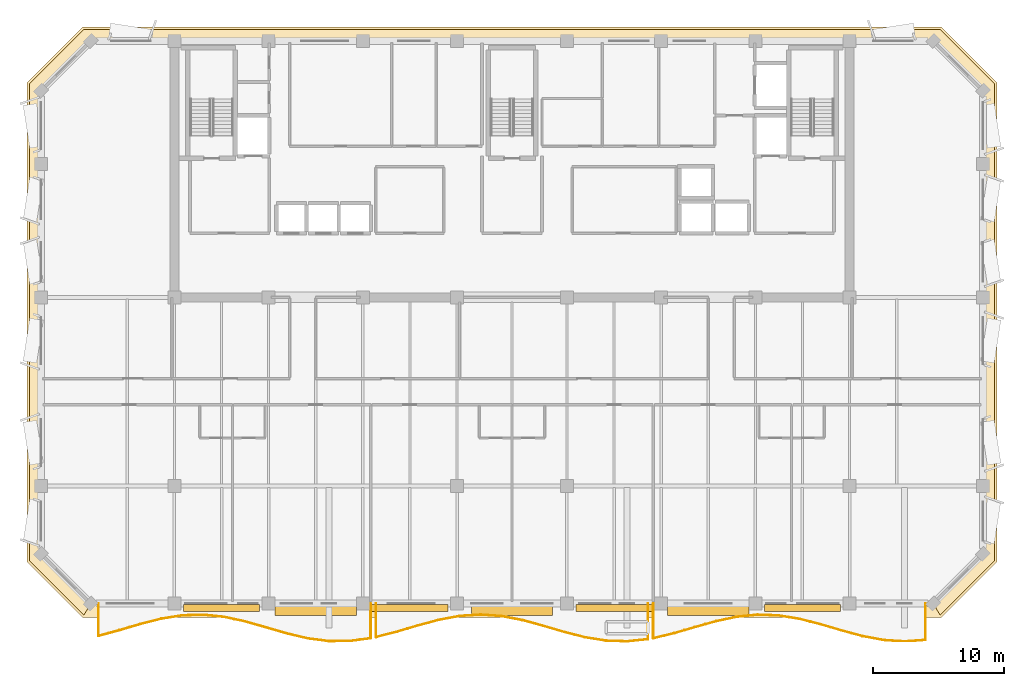
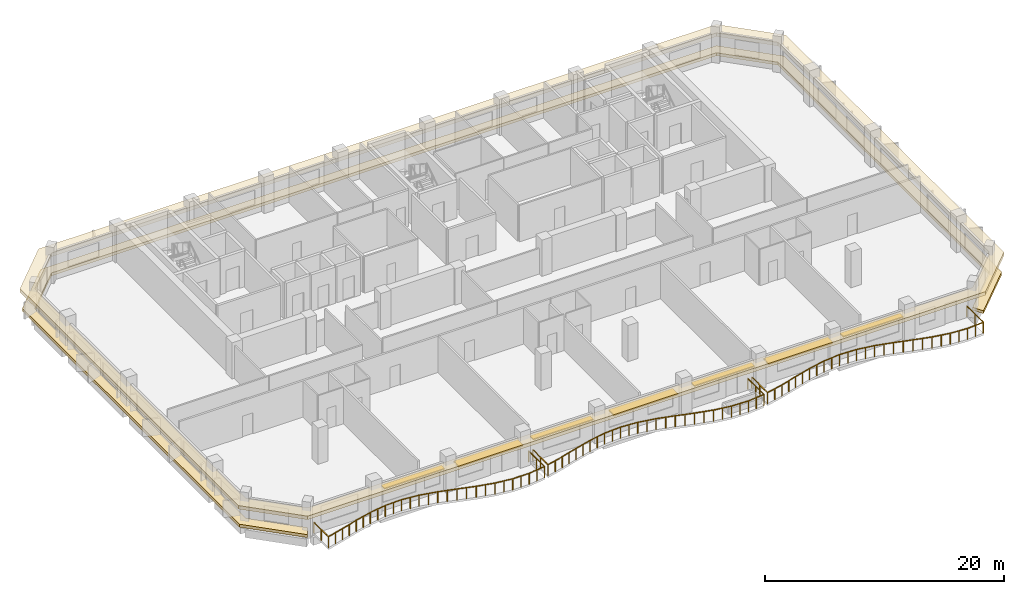
# One storey, part 9 of 11: 7 shading devices, 3 railings, 2 coverings.
"""IFC4 building model written with IfcOpenShell, lengths in metres."""

from ifc_helpers import new_model, si_unit, direction, frame, origin, origin_2d, place, context, subcontext, project, spatial, polyline, rectangle, outline, extrude, material, layer, layer_set, type_object, element, save


model = new_model("IFC4")

# Units and contexts
model_context = context("Model", 3, precision=1e-05, world=origin(), true_north=direction((0.0, 1.0)))
body_context = subcontext(model_context, "Body", "Model", "MODEL_VIEW")
ifc_project = project(units=[si_unit("LENGTHUNIT", "METRE"), si_unit("AREAUNIT", "SQUARE_METRE"), si_unit("VOLUMEUNIT", "CUBIC_METRE"), si_unit("PLANEANGLEUNIT", "RADIAN"), si_unit("MASSUNIT", "GRAM", prefix="KILO")], contexts=[model_context])

# Site, building, storey
site_placement = place(None, origin())
site = spatial("IfcSite", under=ifc_project, at=site_placement, CompositionType="ELEMENT")
building_placement = place(site_placement, origin())
building = spatial("IfcBuilding", under=site, at=building_placement, Name="Kaelvorn Grand Hotel", CompositionType="ELEMENT")
storey_placement = place(building_placement, frame((0.0, 0.0, 256.800048828125)))
storey = spatial("IfcBuildingStorey", under=building, at=storey_placement, Name="L63", CompositionType="ELEMENT", Elevation=256.800048828125)

# Coverings
ifc_material_1 = material(Name="Precast concrete C45/55", Category="concrete")
ifc_layer_1 = layer(ifc_material_1, 0.260009765625)
ifc_layer_set_1 = layer_set([ifc_layer_1], Name="Precast concrete C45/55")
covering_type_1 = type_object("IfcCoveringType", Name="COV-BAND-STREAMLINE-HEAD", PredefinedType="CLADDING", material=ifc_layer_set_1)
covering_1_placement = place(storey_placement, frame((0.0, 0.0, 2.419921875)))
element("IfcCovering", 1, at=covering_1_placement, inside=storey, type_object=covering_type_1, Name="L63 Streamline Moderne Wraparound Horizontal Eyebrow Band", PredefinedType="CLADDING", context=body_context, shape_type="SweptSolid", body=[
    extrude(outline(polyline([(9.18994140625, 4.949951171875), (74.81005859375, 4.949951171875), (79.050048828125, 9.18994140625), (79.050048828125, 45.81005859375), (74.81005859375, 50.050048828125), (9.18994140625, 50.050048828125), (4.949951171875, 45.81005859375), (4.949951171875, 9.18994140625), (9.18994140625, 4.949951171875)]), holes=[polyline([(9.820068359375, 6.030029296875), (74.179931640625, 6.030029296875), (77.969970703125, 9.820068359375), (77.969970703125, 45.179931640625), (74.179931640625, 48.969970703125), (9.820068359375, 48.969970703125), (6.030029296875, 45.179931640625), (6.030029296875, 9.820068359375), (9.820068359375, 6.030029296875)])]), origin(), (0.0, 0.0, 1.0), 0.360107421875),
])
ifc_layer_2 = layer(ifc_material_1, 0.219970703125)
ifc_layer_set_2 = layer_set([ifc_layer_2], Name="Precast concrete C45/55")
covering_type_2 = type_object("IfcCoveringType", Name="COV-BAND-STREAMLINE-SILL", PredefinedType="CLADDING", material=ifc_layer_set_2)
covering_2_placement = place(storey_placement, frame((0.0, 0.0, 0.449951171875)))
element("IfcCovering", 2, at=covering_2_placement, inside=storey, type_object=covering_type_2, Name="L63 Streamline Moderne Wraparound Horizontal Sill Spandrel Band", PredefinedType="CLADDING", context=body_context, shape_type="SweptSolid", body=[
    extrude(outline(polyline([(74.715576171875, 5.1201171875), (78.8798828125, 9.284423828125), (78.8798828125, 45.715576171875), (74.715576171875, 49.8798828125), (9.284423828125, 49.8798828125), (5.1201171875, 45.715576171875), (5.1201171875, 9.284423828125), (9.284423828125, 5.1201171875), (9.817626953125, 6.030029296875), (6.030029296875, 9.817626953125), (6.030029296875, 45.182373046875), (9.817626953125, 48.969970703125), (74.182373046875, 48.969970703125), (77.969970703125, 45.182373046875), (77.969970703125, 9.817626953125), (74.182373046875, 6.030029296875), (74.715576171875, 5.1201171875)])), origin(), (0.0, 0.0, 1.0), 0.300048828125),
])

# Railings
ifc_material_2 = material(Name="Stainless Steel", Category="steel")
railing_type = type_object("IfcRailingType", Name="RL-BALC-1150", PredefinedType="BALUSTRADE", material=ifc_material_2)
railing_1_placement = place(storey_placement, frame((10.39990234375, 6.0, 0.0)))
element("IfcRailing", 3, at=railing_1_placement, inside=storey, type_object=railing_type, Name="L63 Scalloped Wave Balcony Balustrade GR1-1", PredefinedType="BALUSTRADE", context=body_context, shape_type="SweptSolid", body=[
    extrude(rectangle(XDim=0.048095703125, YDim=0.048095703125, at=origin_2d()), frame((0.0, 0.0, 1.1259765625), z_axis=(0.0, -1.0, 0.0), x_axis=(1.0, 0.0, 0.0)), (0.0, 0.0, 1.0), 2.4775390625),
    extrude(rectangle(XDim=0.048095703125, YDim=0.048095703125, at=origin_2d()), frame((0.0, -2.4775390625, 1.1259765625), z_axis=(0.964780804406, 0.263055126255, 0.0), x_axis=(-0.263055126255, 0.964780804406, 0.0)), (0.0, 0.0, 1.0), 1.658447265625),
    extrude(rectangle(XDim=0.048095703125, YDim=0.048095703125, at=origin_2d()), frame((1.60009765625, -2.041259765625, 1.1259765625), z_axis=(0.959192869064, 0.282752612608, 0.0), x_axis=(-0.282752612608, 0.959192869064, 0.0)), (0.0, 0.0, 1.0), 1.668212890625),
    extrude(rectangle(XDim=0.048095703125, YDim=0.048095703125, at=origin_2d()), frame((3.2001953125, -1.569580078125, 1.1259765625), z_axis=(0.969204438811, 0.24625749895, 0.0), x_axis=(-0.24625749895, 0.969204438811, 0.0)), (0.0, 0.0, 1.0), 1.650634765625),
    extrude(rectangle(XDim=0.048095703125, YDim=0.048095703125, at=origin_2d()), frame((4.800048828125, -1.1630859375, 1.1259765625), z_axis=(0.987502610882, 0.157602644337, 0.0), x_axis=(-0.157602644337, 0.987502610882, 0.0)), (0.0, 0.0, 1.0), 1.620361328125),
    extrude(rectangle(XDim=0.048095703125, YDim=0.048095703125, at=origin_2d()), frame((6.400146484375, -0.90771484375, 1.1259765625), z_axis=(0.999525230254, 0.030810941021, 0.0), x_axis=(-0.030810941021, 0.999525230254, 0.0)), (0.0, 0.0, 1.0), 1.6005859375),
    extrude(rectangle(XDim=0.048095703125, YDim=0.048095703125, at=origin_2d()), frame((8.0, -0.8583984375, 1.1259765625), z_axis=(0.994613846753, -0.103649871427, 0.0), x_axis=(0.103649871427, 0.994613846753, 0.0)), (0.0, 0.0, 1.0), 1.608642578125),
    extrude(rectangle(XDim=0.048095703125, YDim=0.048095703125, at=origin_2d()), frame((9.60009765625, -1.025146484375, 1.1259765625), z_axis=(0.977200579572, -0.212318221744, 0.0), x_axis=(0.212318221744, 0.977200579572, 0.0)), (0.0, 0.0, 1.0), 1.637451171875),
    extrude(rectangle(XDim=0.048095703125, YDim=0.048095703125, at=origin_2d()), frame((11.2001953125, -1.372802734375, 1.1259765625), z_axis=(0.961921762904, -0.273324938582, 0.0), x_axis=(0.273324938582, 0.961921762904, 0.0)), (0.0, 0.0, 1.0), 1.6630859375),
    extrude(rectangle(XDim=0.048095703125, YDim=0.048095703125, at=origin_2d()), frame((12.800048828125, -1.827392578125, 1.1259765625), z_axis=(0.960337367156, -0.278840709444, 0.0), x_axis=(0.278840709444, 0.960337367156, 0.0)), (0.0, 0.0, 1.0), 1.666259765625),
    extrude(rectangle(XDim=0.048095703125, YDim=0.048095703125, at=origin_2d()), frame((14.400146484375, -2.2919921875, 1.1259765625), z_axis=(0.973512551729, -0.228633575021, 0.0), x_axis=(0.228633575021, 0.973512551729, 0.0)), (0.0, 0.0, 1.0), 1.643310546875),
    extrude(rectangle(XDim=0.048095703125, YDim=0.048095703125, at=origin_2d()), frame((16.0, -2.667724609375, 1.1259765625), z_axis=(0.991713934243, -0.12846584226, 0.0), x_axis=(0.12846584226, 0.991713934243, 0.0)), (0.0, 0.0, 1.0), 1.613525390625),
    extrude(rectangle(XDim=0.048095703125, YDim=0.048095703125, at=origin_2d()), frame((17.60009765625, -2.875, 1.1259765625), z_axis=(0.999994366234, 0.003356709804, 0.0), x_axis=(-0.003356709804, 0.999994366234, 0.0)), (0.0, 0.0, 1.0), 1.60009765625),
    extrude(rectangle(XDim=0.048095703125, YDim=0.048095703125, at=origin_2d()), frame((19.2001953125, -2.86962890625, 1.1259765625), z_axis=(0.990922872084, 0.134431624185, 0.0), x_axis=(-0.134431624185, 0.990922872084, 0.0)), (0.0, 0.0, 1.0), 1.614501953125),
    extrude(rectangle(XDim=0.048095703125, YDim=0.048095703125, at=origin_2d()), frame((20.800048828125, -2.652587890625, 1.1259765625), z_axis=(0.0, 1.0, 0.0), x_axis=(-1.0, 0.0, 0.0)), (0.0, 0.0, 1.0), 2.652587890625),
    extrude(rectangle(XDim=0.0419921875, YDim=0.0419921875, at=origin_2d()), origin(), (0.0, 0.0, 1.0), 1.101806640625),
    extrude(rectangle(XDim=0.0419921875, YDim=0.0419921875, at=origin_2d()), frame((0.0, -1.23876953125, 0.0)), (0.0, 0.0, 1.0), 1.101806640625),
    extrude(rectangle(XDim=0.0419921875, YDim=0.0419921875, at=origin_2d()), frame((0.0, -2.4775390625, 0.0)), (0.0, 0.0, 1.0), 1.101806640625),
    extrude(rectangle(XDim=0.0419921875, YDim=0.0419921875, at=origin_2d()), frame((0.800048828125, -2.25927734375, 0.0)), (0.0, 0.0, 1.0), 1.101806640625),
    extrude(rectangle(XDim=0.0419921875, YDim=0.0419921875, at=origin_2d()), frame((1.60009765625, -2.041259765625, 0.0)), (0.0, 0.0, 1.0), 1.101806640625),
    extrude(rectangle(XDim=0.0419921875, YDim=0.0419921875, at=origin_2d()), frame((2.400146484375, -1.805419921875, 0.0)), (0.0, 0.0, 1.0), 1.101806640625),
    extrude(rectangle(XDim=0.0419921875, YDim=0.0419921875, at=origin_2d()), frame((3.2001953125, -1.569580078125, 0.0)), (0.0, 0.0, 1.0), 1.101806640625),
    extrude(rectangle(XDim=0.0419921875, YDim=0.0419921875, at=origin_2d()), frame((4.0, -1.3662109375, 0.0)), (0.0, 0.0, 1.0), 1.101806640625),
    extrude(rectangle(XDim=0.0419921875, YDim=0.0419921875, at=origin_2d()), frame((4.800048828125, -1.1630859375, 0.0)), (0.0, 0.0, 1.0), 1.101806640625),
    extrude(rectangle(XDim=0.0419921875, YDim=0.0419921875, at=origin_2d()), frame((5.60009765625, -1.035400390625, 0.0)), (0.0, 0.0, 1.0), 1.101806640625),
    extrude(rectangle(XDim=0.0419921875, YDim=0.0419921875, at=origin_2d()), frame((6.400146484375, -0.90771484375, 0.0)), (0.0, 0.0, 1.0), 1.101806640625),
    extrude(rectangle(XDim=0.0419921875, YDim=0.0419921875, at=origin_2d()), frame((7.2001953125, -0.883056640625, 0.0)), (0.0, 0.0, 1.0), 1.101806640625),
    extrude(rectangle(XDim=0.0419921875, YDim=0.0419921875, at=origin_2d()), frame((8.0, -0.8583984375, 0.0)), (0.0, 0.0, 1.0), 1.101806640625),
    extrude(rectangle(XDim=0.0419921875, YDim=0.0419921875, at=origin_2d()), frame((8.800048828125, -0.94189453125, 0.0)), (0.0, 0.0, 1.0), 1.101806640625),
    extrude(rectangle(XDim=0.0419921875, YDim=0.0419921875, at=origin_2d()), frame((9.60009765625, -1.025146484375, 0.0)), (0.0, 0.0, 1.0), 1.101806640625),
    extrude(rectangle(XDim=0.0419921875, YDim=0.0419921875, at=origin_2d()), frame((10.400146484375, -1.198974609375, 0.0)), (0.0, 0.0, 1.0), 1.101806640625),
    extrude(rectangle(XDim=0.0419921875, YDim=0.0419921875, at=origin_2d()), frame((11.2001953125, -1.372802734375, 0.0)), (0.0, 0.0, 1.0), 1.101806640625),
    extrude(rectangle(XDim=0.0419921875, YDim=0.0419921875, at=origin_2d()), frame((12.0, -1.60009765625, 0.0)), (0.0, 0.0, 1.0), 1.101806640625),
    extrude(rectangle(XDim=0.0419921875, YDim=0.0419921875, at=origin_2d()), frame((12.800048828125, -1.827392578125, 0.0)), (0.0, 0.0, 1.0), 1.101806640625),
    extrude(rectangle(XDim=0.0419921875, YDim=0.0419921875, at=origin_2d()), frame((13.60009765625, -2.0595703125, 0.0)), (0.0, 0.0, 1.0), 1.101806640625),
    extrude(rectangle(XDim=0.0419921875, YDim=0.0419921875, at=origin_2d()), frame((14.400146484375, -2.2919921875, 0.0)), (0.0, 0.0, 1.0), 1.101806640625),
    extrude(rectangle(XDim=0.0419921875, YDim=0.0419921875, at=origin_2d()), frame((15.2001953125, -2.47998046875, 0.0)), (0.0, 0.0, 1.0), 1.101806640625),
    extrude(rectangle(XDim=0.0419921875, YDim=0.0419921875, at=origin_2d()), frame((16.0, -2.667724609375, 0.0)), (0.0, 0.0, 1.0), 1.101806640625),
    extrude(rectangle(XDim=0.0419921875, YDim=0.0419921875, at=origin_2d()), frame((16.800048828125, -2.771484375, 0.0)), (0.0, 0.0, 1.0), 1.101806640625),
    extrude(rectangle(XDim=0.0419921875, YDim=0.0419921875, at=origin_2d()), frame((17.60009765625, -2.875, 0.0)), (0.0, 0.0, 1.0), 1.101806640625),
    extrude(rectangle(XDim=0.0419921875, YDim=0.0419921875, at=origin_2d()), frame((18.400146484375, -2.872314453125, 0.0)), (0.0, 0.0, 1.0), 1.101806640625),
    extrude(rectangle(XDim=0.0419921875, YDim=0.0419921875, at=origin_2d()), frame((19.2001953125, -2.86962890625, 0.0)), (0.0, 0.0, 1.0), 1.101806640625),
    extrude(rectangle(XDim=0.0419921875, YDim=0.0419921875, at=origin_2d()), frame((20.0, -2.76123046875, 0.0)), (0.0, 0.0, 1.0), 1.101806640625),
    extrude(rectangle(XDim=0.0419921875, YDim=0.0419921875, at=origin_2d()), frame((20.800048828125, -2.652587890625, 0.0)), (0.0, 0.0, 1.0), 1.101806640625),
    extrude(rectangle(XDim=0.0419921875, YDim=0.0419921875, at=origin_2d()), frame((20.800048828125, -1.326171875, 0.0)), (0.0, 0.0, 1.0), 1.101806640625),
    extrude(rectangle(XDim=0.0419921875, YDim=0.0419921875, at=origin_2d()), frame((20.800048828125, 0.0, 0.0)), (0.0, 0.0, 1.0), 1.101806640625),
])
railing_2_placement = place(storey_placement, frame((31.60009765625, 6.0, 0.0)))
element("IfcRailing", 4, at=railing_2_placement, inside=storey, type_object=railing_type, Name="L63 Scalloped Wave Balcony Balustrade GR1-2", PredefinedType="BALUSTRADE", context=body_context, shape_type="SweptSolid", body=[
    extrude(rectangle(XDim=0.048095703125, YDim=0.048095703125, at=origin_2d()), frame((0.0, 0.0, 1.1259765625), z_axis=(0.0, -1.0, 0.0), x_axis=(1.0, 0.0, 0.0)), (0.0, 0.0, 1.0), 2.569580078125),
    extrude(rectangle(XDim=0.048095703125, YDim=0.048095703125, at=origin_2d()), frame((0.0, -2.569580078125, 1.1259765625), z_axis=(0.968387953871, 0.249448934249, 0.0), x_axis=(-0.249448934249, 0.968387953871, 0.0)), (0.0, 0.0, 1.0), 1.652099609375),
    extrude(rectangle(XDim=0.048095703125, YDim=0.048095703125, at=origin_2d()), frame((1.599853515625, -2.157470703125, 1.1259765625), z_axis=(0.959113452177, 0.283021882287, 0.0), x_axis=(-0.283021882287, 0.959113452177, 0.0)), (0.0, 0.0, 1.0), 1.668212890625),
    extrude(rectangle(XDim=0.048095703125, YDim=0.048095703125, at=origin_2d()), frame((3.199951171875, -1.685302734375, 1.1259765625), z_axis=(0.965440575101, 0.260623283588, 0.0), x_axis=(-0.260623283588, 0.965440575101, 0.0)), (0.0, 0.0, 1.0), 1.6572265625),
    extrude(rectangle(XDim=0.048095703125, YDim=0.048095703125, at=origin_2d()), frame((4.7998046875, -1.25341796875, 1.1259765625), z_axis=(0.982923083623, 0.184016878792, 0.0), x_axis=(-0.184016878792, 0.982923083623, 0.0)), (0.0, 0.0, 1.0), 1.6279296875),
    extrude(rectangle(XDim=0.048095703125, YDim=0.048095703125, at=origin_2d()), frame((6.39990234375, -0.953857421875, 1.1259765625), z_axis=(0.997904112488, 0.064709985933, 0.0), x_axis=(-0.064709985933, 0.997904112488, 0.0)), (0.0, 0.0, 1.0), 1.603515625),
    extrude(rectangle(XDim=0.048095703125, YDim=0.048095703125, at=origin_2d()), frame((8.0, -0.85009765625, 1.1259765625), z_axis=(0.997459472433, -0.071236232733, 0.0), x_axis=(0.071236232733, 0.997459472433, 0.0)), (0.0, 0.0, 1.0), 1.60400390625),
    extrude(rectangle(XDim=0.048095703125, YDim=0.048095703125, at=origin_2d()), frame((9.599853515625, -0.96435546875, 1.1259765625), z_axis=(0.981961535476, -0.189080783914, 0.0), x_axis=(0.189080783914, 0.981961535476, 0.0)), (0.0, 0.0, 1.0), 1.62939453125),
    extrude(rectangle(XDim=0.048095703125, YDim=0.048095703125, at=origin_2d()), frame((11.199951171875, -1.2724609375, 1.1259765625), z_axis=(0.964770615953, -0.26309249057, 0.0), x_axis=(0.26309249057, 0.964770615953, 0.0)), (0.0, 0.0, 1.0), 1.658203125),
    extrude(rectangle(XDim=0.048095703125, YDim=0.048095703125, at=origin_2d()), frame((12.7998046875, -1.708740234375, 1.1259765625), z_axis=(0.959192869064, -0.282752612608, 0.0), x_axis=(0.282752612608, 0.959192869064, 0.0)), (0.0, 0.0, 1.0), 1.668212890625),
    extrude(rectangle(XDim=0.048095703125, YDim=0.048095703125, at=origin_2d()), frame((14.39990234375, -2.180419921875, 1.1259765625), z_axis=(0.969213406092, -0.246222203409, 0.0), x_axis=(0.246222203409, 0.969213406092, 0.0)), (0.0, 0.0, 1.0), 1.65087890625),
    extrude(rectangle(XDim=0.048095703125, YDim=0.048095703125, at=origin_2d()), frame((16.0, -2.5869140625, 1.1259765625), z_axis=(0.987498867572, -0.157626097281, 0.0), x_axis=(0.157626097281, 0.987498867572, 0.0)), (0.0, 0.0, 1.0), 1.6201171875),
    extrude(rectangle(XDim=0.048095703125, YDim=0.048095703125, at=origin_2d()), frame((17.599853515625, -2.84228515625, 1.1259765625), z_axis=(0.999525375019, -0.030806244393, 0.0), x_axis=(0.030806244393, 0.999525375019, 0.0)), (0.0, 0.0, 1.0), 1.600830078125),
    extrude(rectangle(XDim=0.048095703125, YDim=0.048095703125, at=origin_2d()), frame((19.199951171875, -2.8916015625, 1.1259765625), z_axis=(0.994612216016, 0.103665518623, 0.0), x_axis=(-0.103665518623, 0.994612216016, 0.0)), (0.0, 0.0, 1.0), 1.6083984375),
    extrude(rectangle(XDim=0.048095703125, YDim=0.048095703125, at=origin_2d()), frame((20.7998046875, -2.724853515625, 1.1259765625), z_axis=(0.0, 1.0, 0.0), x_axis=(-1.0, 0.0, 0.0)), (0.0, 0.0, 1.0), 2.724853515625),
    extrude(rectangle(XDim=0.0419921875, YDim=0.0419921875, at=origin_2d()), origin(), (0.0, 0.0, 1.0), 1.101806640625),
    extrude(rectangle(XDim=0.0419921875, YDim=0.0419921875, at=origin_2d()), frame((0.0, -1.28466796875, 0.0)), (0.0, 0.0, 1.0), 1.101806640625),
    extrude(rectangle(XDim=0.0419921875, YDim=0.0419921875, at=origin_2d()), frame((0.0, -2.569580078125, 0.0)), (0.0, 0.0, 1.0), 1.101806640625),
    extrude(rectangle(XDim=0.0419921875, YDim=0.0419921875, at=origin_2d()), frame((0.7998046875, -2.363525390625, 0.0)), (0.0, 0.0, 1.0), 1.101806640625),
    extrude(rectangle(XDim=0.0419921875, YDim=0.0419921875, at=origin_2d()), frame((1.599853515625, -2.157470703125, 0.0)), (0.0, 0.0, 1.0), 1.101806640625),
    extrude(rectangle(XDim=0.0419921875, YDim=0.0419921875, at=origin_2d()), frame((2.39990234375, -1.92138671875, 0.0)), (0.0, 0.0, 1.0), 1.101806640625),
    extrude(rectangle(XDim=0.0419921875, YDim=0.0419921875, at=origin_2d()), frame((3.199951171875, -1.685302734375, 0.0)), (0.0, 0.0, 1.0), 1.101806640625),
    extrude(rectangle(XDim=0.0419921875, YDim=0.0419921875, at=origin_2d()), frame((4.0, -1.46923828125, 0.0)), (0.0, 0.0, 1.0), 1.101806640625),
    extrude(rectangle(XDim=0.0419921875, YDim=0.0419921875, at=origin_2d()), frame((4.7998046875, -1.25341796875, 0.0)), (0.0, 0.0, 1.0), 1.101806640625),
    extrude(rectangle(XDim=0.0419921875, YDim=0.0419921875, at=origin_2d()), frame((5.599853515625, -1.103515625, 0.0)), (0.0, 0.0, 1.0), 1.101806640625),
    extrude(rectangle(XDim=0.0419921875, YDim=0.0419921875, at=origin_2d()), frame((6.39990234375, -0.953857421875, 0.0)), (0.0, 0.0, 1.0), 1.101806640625),
    extrude(rectangle(XDim=0.0419921875, YDim=0.0419921875, at=origin_2d()), frame((7.199951171875, -0.90185546875, 0.0)), (0.0, 0.0, 1.0), 1.101806640625),
    extrude(rectangle(XDim=0.0419921875, YDim=0.0419921875, at=origin_2d()), frame((8.0, -0.85009765625, 0.0)), (0.0, 0.0, 1.0), 1.101806640625),
    extrude(rectangle(XDim=0.0419921875, YDim=0.0419921875, at=origin_2d()), frame((8.7998046875, -0.9072265625, 0.0)), (0.0, 0.0, 1.0), 1.101806640625),
    extrude(rectangle(XDim=0.0419921875, YDim=0.0419921875, at=origin_2d()), frame((9.599853515625, -0.96435546875, 0.0)), (0.0, 0.0, 1.0), 1.101806640625),
    extrude(rectangle(XDim=0.0419921875, YDim=0.0419921875, at=origin_2d()), frame((10.39990234375, -1.118408203125, 0.0)), (0.0, 0.0, 1.0), 1.101806640625),
    extrude(rectangle(XDim=0.0419921875, YDim=0.0419921875, at=origin_2d()), frame((11.199951171875, -1.2724609375, 0.0)), (0.0, 0.0, 1.0), 1.101806640625),
    extrude(rectangle(XDim=0.0419921875, YDim=0.0419921875, at=origin_2d()), frame((12.0, -1.49072265625, 0.0)), (0.0, 0.0, 1.0), 1.101806640625),
    extrude(rectangle(XDim=0.0419921875, YDim=0.0419921875, at=origin_2d()), frame((12.7998046875, -1.708740234375, 0.0)), (0.0, 0.0, 1.0), 1.101806640625),
    extrude(rectangle(XDim=0.0419921875, YDim=0.0419921875, at=origin_2d()), frame((13.599853515625, -1.944580078125, 0.0)), (0.0, 0.0, 1.0), 1.101806640625),
    extrude(rectangle(XDim=0.0419921875, YDim=0.0419921875, at=origin_2d()), frame((14.39990234375, -2.180419921875, 0.0)), (0.0, 0.0, 1.0), 1.101806640625),
    extrude(rectangle(XDim=0.0419921875, YDim=0.0419921875, at=origin_2d()), frame((15.199951171875, -2.3837890625, 0.0)), (0.0, 0.0, 1.0), 1.101806640625),
    extrude(rectangle(XDim=0.0419921875, YDim=0.0419921875, at=origin_2d()), frame((16.0, -2.5869140625, 0.0)), (0.0, 0.0, 1.0), 1.101806640625),
    extrude(rectangle(XDim=0.0419921875, YDim=0.0419921875, at=origin_2d()), frame((16.7998046875, -2.714599609375, 0.0)), (0.0, 0.0, 1.0), 1.101806640625),
    extrude(rectangle(XDim=0.0419921875, YDim=0.0419921875, at=origin_2d()), frame((17.599853515625, -2.84228515625, 0.0)), (0.0, 0.0, 1.0), 1.101806640625),
    extrude(rectangle(XDim=0.0419921875, YDim=0.0419921875, at=origin_2d()), frame((18.39990234375, -2.866943359375, 0.0)), (0.0, 0.0, 1.0), 1.101806640625),
    extrude(rectangle(XDim=0.0419921875, YDim=0.0419921875, at=origin_2d()), frame((19.199951171875, -2.8916015625, 0.0)), (0.0, 0.0, 1.0), 1.101806640625),
    extrude(rectangle(XDim=0.0419921875, YDim=0.0419921875, at=origin_2d()), frame((20.0, -2.80810546875, 0.0)), (0.0, 0.0, 1.0), 1.101806640625),
    extrude(rectangle(XDim=0.0419921875, YDim=0.0419921875, at=origin_2d()), frame((20.7998046875, -2.724853515625, 0.0)), (0.0, 0.0, 1.0), 1.101806640625),
    extrude(rectangle(XDim=0.0419921875, YDim=0.0419921875, at=origin_2d()), frame((20.7998046875, -1.3623046875, 0.0)), (0.0, 0.0, 1.0), 1.101806640625),
    extrude(rectangle(XDim=0.0419921875, YDim=0.0419921875, at=origin_2d()), frame((20.7998046875, 0.0, 0.0)), (0.0, 0.0, 1.0), 1.101806640625),
])
railing_3_placement = place(storey_placement, frame((52.800048828125, 6.0, 0.0)))
element("IfcRailing", 5, at=railing_3_placement, inside=storey, type_object=railing_type, Name="L63 Scalloped Wave Balcony Balustrade GR1-3", PredefinedType="BALUSTRADE", context=body_context, shape_type="SweptSolid", body=[
    extrude(rectangle(XDim=0.048095703125, YDim=0.048095703125, at=origin_2d()), frame((0.0, 0.0, 1.1259765625), z_axis=(0.0, -1.0, 0.0), x_axis=(1.0, 0.0, 0.0)), (0.0, 0.0, 1.0), 2.652587890625),
    extrude(rectangle(XDim=0.048095703125, YDim=0.048095703125, at=origin_2d()), frame((0.0, -2.652587890625, 1.1259765625), z_axis=(0.972579621463, 0.232570161275, 0.0), x_axis=(-0.232570161275, 0.972579621463, 0.0)), (0.0, 0.0, 1.0), 1.64501953125),
    extrude(rectangle(XDim=0.048095703125, YDim=0.048095703125, at=origin_2d()), frame((1.599853515625, -2.27001953125, 1.1259765625), z_axis=(0.960022964668, 0.279921251981, 0.0), x_axis=(-0.279921251981, 0.960022964668, 0.0)), (0.0, 0.0, 1.0), 1.666748046875),
    extrude(rectangle(XDim=0.048095703125, YDim=0.048095703125, at=origin_2d()), frame((3.199951171875, -1.803466796875, 1.1259765625), z_axis=(0.962471316232, 0.271383428806, 0.0), x_axis=(-0.271383428806, 0.962471316232, 0.0)), (0.0, 0.0, 1.0), 1.66259765625),
    extrude(rectangle(XDim=0.048095703125, YDim=0.048095703125, at=origin_2d()), frame((4.800048828125, -1.352294921875, 1.1259765625), z_axis=(0.97814405344, 0.207928378825, 0.0), x_axis=(-0.207928378825, 0.97814405344, 0.0)), (0.0, 0.0, 1.0), 1.635498046875),
    extrude(rectangle(XDim=0.048095703125, YDim=0.048095703125, at=origin_2d()), frame((6.39990234375, -1.01220703125, 1.1259765625), z_axis=(0.995251339564, 0.097338435865, 0.0), x_axis=(-0.097338435865, 0.995251339564, 0.0)), (0.0, 0.0, 1.0), 1.607666015625),
    extrude(rectangle(XDim=0.048095703125, YDim=0.048095703125, at=origin_2d()), frame((8.0, -0.855712890625, 1.1259765625), z_axis=(0.999290387736, -0.037665912677, 0.0), x_axis=(0.037665912677, 0.999290387736, 0.0)), (0.0, 0.0, 1.0), 1.60107421875),
    extrude(rectangle(XDim=0.048095703125, YDim=0.048095703125, at=origin_2d()), frame((9.599853515625, -0.916015625, 1.1259765625), z_axis=(0.986620816631, -0.163031788894, 0.0), x_axis=(0.163031788894, 0.986620816631, 0.0)), (0.0, 0.0, 1.0), 1.621826171875),
    extrude(rectangle(XDim=0.048095703125, YDim=0.048095703125, at=origin_2d()), frame((11.199951171875, -1.180419921875, 1.1259765625), z_axis=(0.968397147337, -0.249413241487, 0.0), x_axis=(0.249413241487, 0.968397147337, 0.0)), (0.0, 0.0, 1.0), 1.65234375),
    extrude(rectangle(XDim=0.048095703125, YDim=0.048095703125, at=origin_2d()), frame((12.800048828125, -1.592529296875, 1.1259765625), z_axis=(0.959101727658, -0.283061611673, 0.0), x_axis=(0.283061611673, 0.959101727658, 0.0)), (0.0, 0.0, 1.0), 1.66796875),
    extrude(rectangle(XDim=0.048095703125, YDim=0.048095703125, at=origin_2d()), frame((14.39990234375, -2.064697265625, 1.1259765625), z_axis=(0.965450580149, -0.260586218536, 0.0), x_axis=(0.260586218536, 0.965450580149, 0.0)), (0.0, 0.0, 1.0), 1.657470703125),
    extrude(rectangle(XDim=0.048095703125, YDim=0.048095703125, at=origin_2d()), frame((16.0, -2.49658203125, 1.1259765625), z_axis=(0.982918004082, -0.184044009005, 0.0), x_axis=(0.184044009005, 0.982918004082, 0.0)), (0.0, 0.0, 1.0), 1.627685546875),
    extrude(rectangle(XDim=0.048095703125, YDim=0.048095703125, at=origin_2d()), frame((17.599853515625, -2.796142578125, 1.1259765625), z_axis=(0.997904112488, -0.064709985933, 0.0), x_axis=(0.064709985933, 0.997904112488, 0.0)), (0.0, 0.0, 1.0), 1.603515625),
    extrude(rectangle(XDim=0.048095703125, YDim=0.048095703125, at=origin_2d()), frame((19.199951171875, -2.89990234375, 1.1259765625), z_axis=(0.997460244683, 0.071225418754, 0.0), x_axis=(-0.071225418754, 0.997460244683, 0.0)), (0.0, 0.0, 1.0), 1.604248046875),
    extrude(rectangle(XDim=0.048095703125, YDim=0.048095703125, at=origin_2d()), frame((20.800048828125, -2.78564453125, 1.1259765625), z_axis=(0.0, 1.0, 0.0), x_axis=(-1.0, 0.0, 0.0)), (0.0, 0.0, 1.0), 2.78564453125),
    extrude(rectangle(XDim=0.0419921875, YDim=0.0419921875, at=origin_2d()), origin(), (0.0, 0.0, 1.0), 1.101806640625),
    extrude(rectangle(XDim=0.0419921875, YDim=0.0419921875, at=origin_2d()), frame((0.0, -1.326171875, 0.0)), (0.0, 0.0, 1.0), 1.101806640625),
    extrude(rectangle(XDim=0.0419921875, YDim=0.0419921875, at=origin_2d()), frame((0.0, -2.652587890625, 0.0)), (0.0, 0.0, 1.0), 1.101806640625),
    extrude(rectangle(XDim=0.0419921875, YDim=0.0419921875, at=origin_2d()), frame((0.7998046875, -2.46142578125, 0.0)), (0.0, 0.0, 1.0), 1.101806640625),
    extrude(rectangle(XDim=0.0419921875, YDim=0.0419921875, at=origin_2d()), frame((1.599853515625, -2.27001953125, 0.0)), (0.0, 0.0, 1.0), 1.101806640625),
    extrude(rectangle(XDim=0.0419921875, YDim=0.0419921875, at=origin_2d()), frame((2.39990234375, -2.03662109375, 0.0)), (0.0, 0.0, 1.0), 1.101806640625),
    extrude(rectangle(XDim=0.0419921875, YDim=0.0419921875, at=origin_2d()), frame((3.199951171875, -1.803466796875, 0.0)), (0.0, 0.0, 1.0), 1.101806640625),
    extrude(rectangle(XDim=0.0419921875, YDim=0.0419921875, at=origin_2d()), frame((4.0, -1.577880859375, 0.0)), (0.0, 0.0, 1.0), 1.101806640625),
    extrude(rectangle(XDim=0.0419921875, YDim=0.0419921875, at=origin_2d()), frame((4.800048828125, -1.352294921875, 0.0)), (0.0, 0.0, 1.0), 1.101806640625),
    extrude(rectangle(XDim=0.0419921875, YDim=0.0419921875, at=origin_2d()), frame((5.60009765625, -1.18212890625, 0.0)), (0.0, 0.0, 1.0), 1.101806640625),
    extrude(rectangle(XDim=0.0419921875, YDim=0.0419921875, at=origin_2d()), frame((6.39990234375, -1.01220703125, 0.0)), (0.0, 0.0, 1.0), 1.101806640625),
    extrude(rectangle(XDim=0.0419921875, YDim=0.0419921875, at=origin_2d()), frame((7.199951171875, -0.93408203125, 0.0)), (0.0, 0.0, 1.0), 1.101806640625),
    extrude(rectangle(XDim=0.0419921875, YDim=0.0419921875, at=origin_2d()), frame((8.0, -0.855712890625, 0.0)), (0.0, 0.0, 1.0), 1.101806640625),
    extrude(rectangle(XDim=0.0419921875, YDim=0.0419921875, at=origin_2d()), frame((8.7998046875, -0.8857421875, 0.0)), (0.0, 0.0, 1.0), 1.101806640625),
    extrude(rectangle(XDim=0.0419921875, YDim=0.0419921875, at=origin_2d()), frame((9.599853515625, -0.916015625, 0.0)), (0.0, 0.0, 1.0), 1.101806640625),
    extrude(rectangle(XDim=0.0419921875, YDim=0.0419921875, at=origin_2d()), frame((10.39990234375, -1.04833984375, 0.0)), (0.0, 0.0, 1.0), 1.101806640625),
    extrude(rectangle(XDim=0.0419921875, YDim=0.0419921875, at=origin_2d()), frame((11.199951171875, -1.180419921875, 0.0)), (0.0, 0.0, 1.0), 1.101806640625),
    extrude(rectangle(XDim=0.0419921875, YDim=0.0419921875, at=origin_2d()), frame((12.0, -1.386474609375, 0.0)), (0.0, 0.0, 1.0), 1.101806640625),
    extrude(rectangle(XDim=0.0419921875, YDim=0.0419921875, at=origin_2d()), frame((12.800048828125, -1.592529296875, 0.0)), (0.0, 0.0, 1.0), 1.101806640625),
    extrude(rectangle(XDim=0.0419921875, YDim=0.0419921875, at=origin_2d()), frame((13.60009765625, -1.82861328125, 0.0)), (0.0, 0.0, 1.0), 1.101806640625),
    extrude(rectangle(XDim=0.0419921875, YDim=0.0419921875, at=origin_2d()), frame((14.39990234375, -2.064697265625, 0.0)), (0.0, 0.0, 1.0), 1.101806640625),
    extrude(rectangle(XDim=0.0419921875, YDim=0.0419921875, at=origin_2d()), frame((15.199951171875, -2.28076171875, 0.0)), (0.0, 0.0, 1.0), 1.101806640625),
    extrude(rectangle(XDim=0.0419921875, YDim=0.0419921875, at=origin_2d()), frame((16.0, -2.49658203125, 0.0)), (0.0, 0.0, 1.0), 1.101806640625),
    extrude(rectangle(XDim=0.0419921875, YDim=0.0419921875, at=origin_2d()), frame((16.7998046875, -2.646484375, 0.0)), (0.0, 0.0, 1.0), 1.101806640625),
    extrude(rectangle(XDim=0.0419921875, YDim=0.0419921875, at=origin_2d()), frame((17.599853515625, -2.796142578125, 0.0)), (0.0, 0.0, 1.0), 1.101806640625),
    extrude(rectangle(XDim=0.0419921875, YDim=0.0419921875, at=origin_2d()), frame((18.39990234375, -2.84814453125, 0.0)), (0.0, 0.0, 1.0), 1.101806640625),
    extrude(rectangle(XDim=0.0419921875, YDim=0.0419921875, at=origin_2d()), frame((19.199951171875, -2.89990234375, 0.0)), (0.0, 0.0, 1.0), 1.101806640625),
    extrude(rectangle(XDim=0.0419921875, YDim=0.0419921875, at=origin_2d()), frame((20.0, -2.8427734375, 0.0)), (0.0, 0.0, 1.0), 1.101806640625),
    extrude(rectangle(XDim=0.0419921875, YDim=0.0419921875, at=origin_2d()), frame((20.800048828125, -2.78564453125, 0.0)), (0.0, 0.0, 1.0), 1.101806640625),
    extrude(rectangle(XDim=0.0419921875, YDim=0.0419921875, at=origin_2d()), frame((20.800048828125, -1.392822265625, 0.0)), (0.0, 0.0, 1.0), 1.101806640625),
    extrude(rectangle(XDim=0.0419921875, YDim=0.0419921875, at=origin_2d()), frame((20.800048828125, 0.0, 0.0)), (0.0, 0.0, 1.0), 1.101806640625),
])

# Shading devices
ifc_layer_3 = layer(ifc_material_1, 0.1201171875)
ifc_layer_set_3 = layer_set([ifc_layer_3], Name="Precast concrete C45/55")
shading_device_type_1 = type_object("IfcShadingDeviceType", Name="SHD-SUNSHADE-550", PredefinedType="USERDEFINED", material=ifc_layer_set_3)
for number, where, z_axis, x_axis, name in (
    (6, (19.800048828125, 5.655029296875, 2.559814453125), (0.0, 0.0, 1.0), (1.0, 0.0, 0.0), "L63 Horizontal Concrete Sunshade Band SS-03"),
    (7, (34.199951171875, 5.655029296875, 2.559814453125), (0.0, 0.0, 1.0), (1.0, 0.0, 0.0), "L63 Horizontal Concrete Sunshade Band SS-05"),
    (8, (49.800048828125, 5.655029296875, 2.559814453125), (0.0, 0.0, 1.0), (1.0, 0.0, 0.0), "L63 Horizontal Concrete Sunshade Band SS-07"),
    (9, (64.199951171875, 5.655029296875, 2.559814453125), (0.0, 0.0, 1.0), (1.0, 0.0, 0.0), "L63 Horizontal Concrete Sunshade Band SS-09"),
):
    element("IfcShadingDevice", number, at=place(storey_placement, frame(where, z_axis=z_axis, x_axis=x_axis)), inside=storey, type_object=shading_device_type_1, Name=name, ObjectType="SUNSHADE", PredefinedType="USERDEFINED", context=body_context, shape_type="SweptSolid", body=[
        extrude(rectangle(XDim=5.800048828125, YDim=0.550048828125, at=origin_2d()), origin(), (0.0, 0.0, 1.0), 0.1201171875),
    ])
ifc_layer_4 = layer(ifc_material_1, 0.139892578125)
ifc_layer_set_4 = layer_set([ifc_layer_4], Name="Precast concrete C45/55")
shading_device_type_2 = type_object("IfcShadingDeviceType", Name="SHD-SUNSHADE-850", PredefinedType="USERDEFINED", material=ifc_layer_set_4)
for number, where, z_axis, x_axis, name in (
    (10, (27.0, 5.5048828125, 2.5498046875), (0.0, 0.0, 1.0), (1.0, 0.0, 0.0), "L63 Horizontal Concrete Sunshade Band SS-04"),
    (11, (42.0, 5.5048828125, 2.5498046875), (0.0, 0.0, 1.0), (1.0, 0.0, 0.0), "L63 Horizontal Concrete Sunshade Band SS-06"),
    (12, (57.0, 5.5048828125, 2.5498046875), (0.0, 0.0, 1.0), (1.0, 0.0, 0.0), "L63 Horizontal Concrete Sunshade Band SS-08"),
):
    element("IfcShadingDevice", number, at=place(storey_placement, frame(where, z_axis=z_axis, x_axis=x_axis)), inside=storey, type_object=shading_device_type_2, Name=name, ObjectType="SUNSHADE", PredefinedType="USERDEFINED", context=body_context, shape_type="SweptSolid", body=[
        extrude(rectangle(XDim=6.199951171875, YDim=0.85009765625, at=origin_2d()), origin(), (0.0, 0.0, 1.0), 0.139892578125),
    ])

save(model, "model.ifc")
